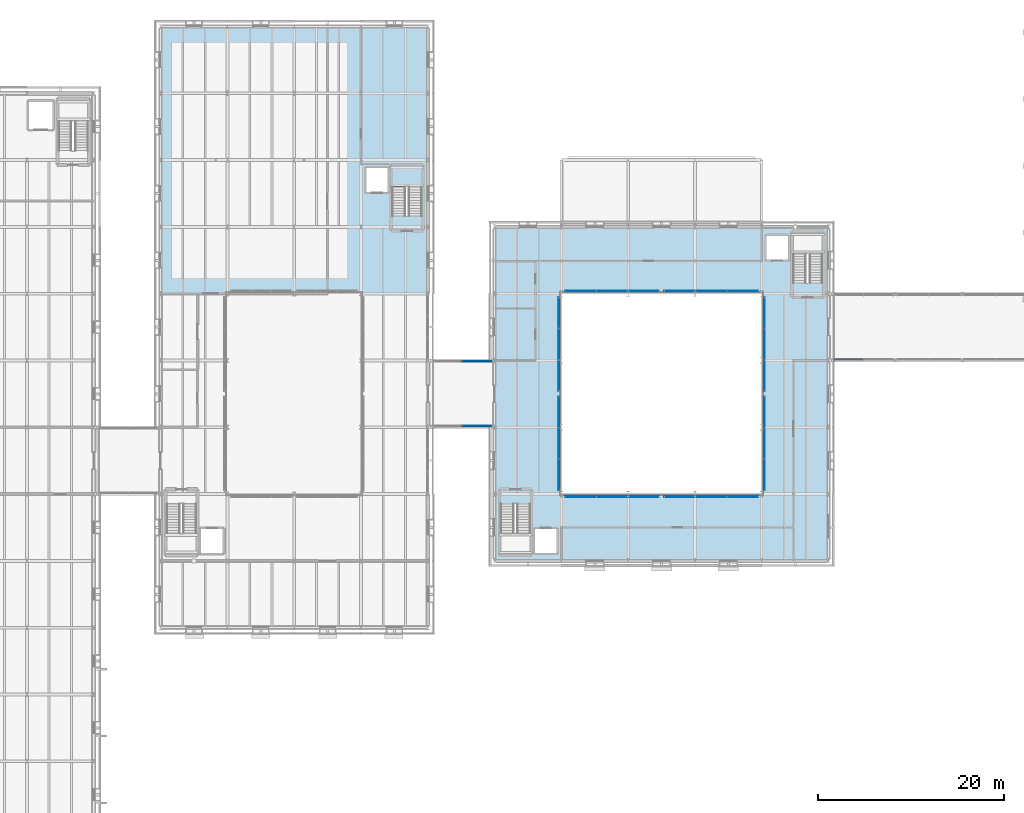
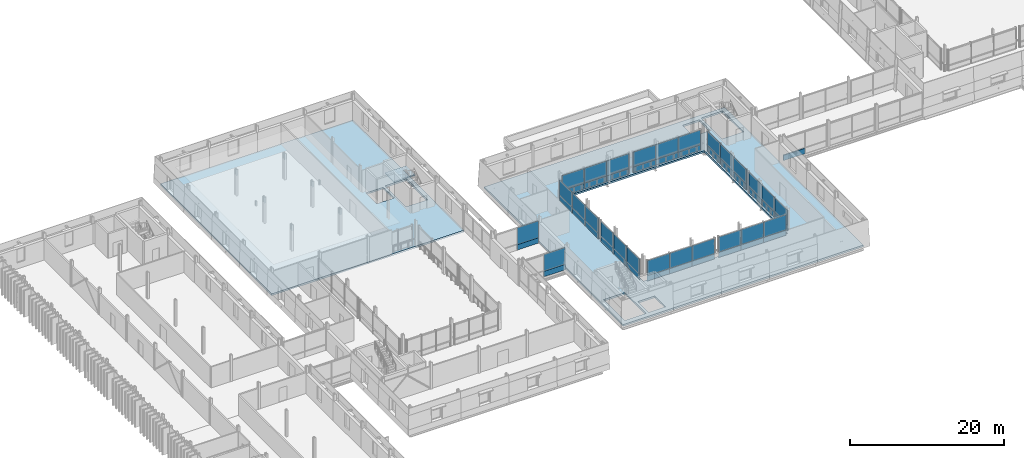
# One storey, part 57 of 115: 53 plates, 3 slabs, 12 elements without a shape of their own.
"""IFC4 building model written with IfcOpenShell, lengths in metres."""

from ifc_helpers import new_model, si_unit, direction, frame, origin, origin_2d, place, context, subcontext, project, spatial, polyline, rectangle, outline, extrude, material, layer, layer_set, type_object, element, aggregate, save


model = new_model("IFC4")

# Units and contexts
model_context = context("Model", 3, precision=1e-05, world=origin(), true_north=direction((0.0, 1.0)))
body_context = subcontext(model_context, "Body", "Model", "MODEL_VIEW")
ifc_project = project(units=[si_unit("LENGTHUNIT", "METRE"), si_unit("AREAUNIT", "SQUARE_METRE"), si_unit("VOLUMEUNIT", "CUBIC_METRE"), si_unit("PLANEANGLEUNIT", "RADIAN"), si_unit("MASSUNIT", "GRAM", prefix="KILO")], contexts=[model_context])

# Site, building, storey
site_placement = place(None, origin())
site = spatial("IfcSite", under=ifc_project, at=site_placement, CompositionType="ELEMENT")
building_placement = place(site_placement, origin())
building = spatial("IfcBuilding", under=site, at=building_placement, Name="Narikvali Park Central Library", CompositionType="ELEMENT")
storey_placement = place(building_placement, frame((0.0, 0.0, 10.199951171875)))
storey = spatial("IfcBuildingStorey", under=building, at=storey_placement, Name="L02", CompositionType="ELEMENT", Elevation=10.199951171875)

# Slabs
ifc_material_1 = material(Name="Concrete C35/45", Category="concrete")
ifc_layer_1 = layer(ifc_material_1, 0.280029296875, Name="Concrete C35/45")
ifc_layer_set_1 = layer_set([ifc_layer_1], Name="Concrete C35/45")
slab_type_1 = type_object("IfcSlabType", Name="Composite Reading Floor Slab 280", PredefinedType="FLOOR", material=ifc_layer_set_1)
slab_1_placement = place(storey_placement, frame((0.0, 0.0, -0.280029296875)))
element("IfcSlab", 1, at=slab_1_placement, inside=storey, type_object=slab_type_1, Name="V1 L02 Structural Slab", PredefinedType="FLOOR", context=body_context, shape_type="SweptSolid", body=[
    extrude(outline(polyline([(64.800048828125, 57.60009765625), (100.800048828125, 57.60009765625), (100.800048828125, 93.60009765625), (64.800048828125, 93.60009765625), (64.800048828125, 57.60009765625)]), holes=[polyline([(65.449951171875, 58.300048828125), (68.64990234375, 58.300048828125), (68.64990234375, 63.75), (65.449951171875, 63.75), (65.449951171875, 58.300048828125)]), polyline([(69.050048828125, 58.35009765625), (71.60009765625, 58.35009765625), (71.60009765625, 61.14990234375), (69.050048828125, 61.14990234375), (69.050048828125, 58.35009765625)]), polyline([(96.949951171875, 87.550048828125), (100.14990234375, 87.550048828125), (100.14990234375, 93.0), (96.949951171875, 93.0), (96.949951171875, 87.550048828125)]), polyline([(94.0, 89.949951171875), (96.550048828125, 89.949951171875), (96.550048828125, 92.75), (94.0, 92.75), (94.0, 89.949951171875)]), polyline([(72.0, 64.800048828125), (93.60009765625, 64.800048828125), (93.60009765625, 86.39990234375), (72.0, 86.39990234375), (72.0, 64.800048828125)])]), origin(), (0.0, 0.0, 1.0), 0.280029296875),
])
slab_2_placement = place(storey_placement, frame((0.0, 0.0, -0.280029296875)))
element("IfcSlab", 2, at=slab_2_placement, inside=storey, type_object=slab_type_1, Name="V4 L02 Structural Slab Panel 2", PredefinedType="FLOOR", context=body_context, shape_type="SweptSolid", body=[
    extrude(outline(polyline([(28.800048828125, 86.39990234375), (57.60009765625, 86.39990234375), (57.60009765625, 115.199951171875), (28.800048828125, 115.199951171875), (28.800048828125, 86.39990234375)]), holes=[polyline([(53.75, 94.75), (56.949951171875, 94.75), (56.949951171875, 100.199951171875), (53.75, 100.199951171875), (53.75, 94.75)]), polyline([(50.85009765625, 97.25), (53.39990234375, 97.25), (53.39990234375, 100.050048828125), (50.85009765625, 100.050048828125), (50.85009765625, 97.25)])]), origin(), (0.0, 0.0, 1.0), 0.280029296875),
])

# Curtain wall, plate
ifc_material_2 = material(Name="Anodised Bronze Aluminium", Category="aluminium")
ifc_layer_2 = layer(ifc_material_2, 0.219970703125, Name="Anodised Bronze Aluminium")
ifc_layer_set_2 = layer_set([ifc_layer_2], Name="Anodised Bronze Aluminium")
curtain_wall_type_1 = type_object("IfcCurtainWallType", Name="Bridge Covered Passage Glazing System", PredefinedType="NOTDEFINED", material=ifc_layer_set_2)
curtain_wall_1_placement = place(storey_placement, origin())
curtain_wall_1 = element("IfcCurtainWall", 3, at=curtain_wall_1_placement, inside=storey, type_object=curtain_wall_type_1, Name="Bridge Covered Passage Glazing System CW-BRG-2-L02-N1", PredefinedType="NOTDEFINED")
ifc_material_3 = material(Name="Anodised Bronze Acoustic Spandrel Cassette")
ifc_layer_3 = layer(ifc_material_3, 0.1650390625, Name="Anodised Bronze Acoustic Spandrel Cassette")
ifc_layer_set_3 = layer_set([ifc_layer_3], Name="Anodised Bronze Acoustic Spandrel Cassette")
plate_type_1 = type_object("IfcPlateType", Name="Curtain Wall Acoustic Plenum Louvre Cassette 165", PredefinedType="CURTAIN_PANEL", material=ifc_layer_set_3)
plate_1_placement = place(storey_placement, frame((62.91259765625, 79.080078125, 0.03515625), z_axis=(0.0, 0.0, 1.0), x_axis=(1.0, 0.0, 0.0)))
plate_1 = element("IfcPlate", 4, at=plate_1_placement, type_object=plate_type_1, Name="CW-BRG-2-L02-N1 Panel 01-0", PredefinedType="CURTAIN_PANEL", context=body_context, shape_type="SweptSolid", body=[
    extrude(rectangle(XDim=3.1650390625, YDim=0.1650390625, at=origin_2d()), origin(), (0.0, 0.0, 1.0), 0.860107421875),
])

curtain_wall_2_placement = place(storey_placement, origin())
curtain_wall_2 = element("IfcCurtainWall", 5, at=curtain_wall_2_placement, inside=storey, type_object=curtain_wall_type_1, Name="Bridge Covered Passage Glazing System CW-BRG-3-L02-S1", PredefinedType="NOTDEFINED")
plate_2_placement = place(storey_placement, frame((102.952392578125, 79.320068359375, 0.03515625), z_axis=(0.0, 0.0, 1.0), x_axis=(1.0, 0.0, 0.0)))
plate_2 = element("IfcPlate", 6, at=plate_2_placement, type_object=plate_type_1, Name="CW-BRG-3-L02-S1 Panel 00-0", PredefinedType="CURTAIN_PANEL", context=body_context, shape_type="SweptSolid", body=[
    extrude(rectangle(XDim=3.195068359375, YDim=0.1650390625, at=origin_2d()), origin(), (0.0, 0.0, 1.0), 0.860107421875),
])
aggregate(curtain_wall_2, [plate_2])

# Plate
ifc_material_4 = material(Name="Heavy Acoustic Laminated Clerestory Glazing", Category="glass")
ifc_layer_4 = layer(ifc_material_4, 0.06396484375, Name="Heavy Acoustic Laminated Clerestory Glazing")
ifc_layer_set_4 = layer_set([ifc_layer_4], Name="Heavy Acoustic Laminated Clerestory Glazing")
plate_type_2 = type_object("IfcPlateType", Name="Curtain Wall Clerestory Laminated Acoustic Glass 64", PredefinedType="CURTAIN_PANEL", material=ifc_layer_set_4)
plate_3_placement = place(storey_placement, frame((62.91259765625, 79.080078125, 0.90478515625), z_axis=(0.0, 0.0, 1.0), x_axis=(1.0, 0.0, 0.0)))
plate_3 = element("IfcPlate", 7, at=plate_3_placement, type_object=plate_type_2, Name="CW-BRG-2-L02-N1 Panel 01-1", PredefinedType="CURTAIN_PANEL", context=body_context, shape_type="SweptSolid", body=[
    extrude(rectangle(XDim=3.1650390625, YDim=0.06396484375, at=origin_2d()), origin(), (0.0, 0.0, 1.0), 2.610107421875),
])

aggregate(curtain_wall_1, [plate_1, plate_3])

# Curtain wall, plates
ifc_layer_5 = layer(ifc_material_2, 0.219970703125, Name="Anodised Bronze Aluminium")
ifc_layer_set_5 = layer_set([ifc_layer_5], Name="Anodised Bronze Aluminium")
curtain_wall_type_2 = type_object("IfcCurtainWallType", Name="Atrium Tall Curtain Wall System", PredefinedType="NOTDEFINED", material=ifc_layer_set_5)
curtain_wall_3_placement = place(storey_placement, origin())
curtain_wall_3 = element("IfcCurtainWall", 8, at=curtain_wall_3_placement, inside=storey, type_object=curtain_wall_type_2, Name="Atrium Tall Curtain Wall System CW-INT-V1-L02-W1", PredefinedType="NOTDEFINED")
plate_4_placement = place(storey_placement, frame((71.719970703125, 66.88330078125, 0.90478515625), z_axis=(0.0, 0.0, 1.0), x_axis=(0.0, 1.0, 0.0)))
plate_4 = element("IfcPlate", 9, at=plate_4_placement, type_object=plate_type_2, Name="CW-INT-V1-L02-W1 Panel 00-1", PredefinedType="CURTAIN_PANEL", context=body_context, shape_type="SweptSolid", body=[
    extrude(rectangle(XDim=3.356689453125, YDim=0.06396484375, at=origin_2d()), origin(), (0.0, 0.0, 1.0), 2.360107421875),
])
plate_5_placement = place(storey_placement, frame((71.719970703125, 70.25, 0.90478515625), z_axis=(0.0, 0.0, 1.0), x_axis=(0.0, 1.0, 0.0)))
plate_5 = element("IfcPlate", 10, at=plate_5_placement, type_object=plate_type_2, Name="CW-INT-V1-L02-W1 Panel 01-1", PredefinedType="CURTAIN_PANEL", context=body_context, shape_type="SweptSolid", body=[
    extrude(rectangle(XDim=3.356689453125, YDim=0.06396484375, at=origin_2d()), origin(), (0.0, 0.0, 1.0), 2.360107421875),
])
plate_6_placement = place(storey_placement, frame((71.719970703125, 73.61669921875, 0.90478515625), z_axis=(0.0, 0.0, 1.0), x_axis=(0.0, 1.0, 0.0)))
plate_6 = element("IfcPlate", 11, at=plate_6_placement, type_object=plate_type_2, Name="CW-INT-V1-L02-W1 Panel 02-1", PredefinedType="CURTAIN_PANEL", context=body_context, shape_type="SweptSolid", body=[
    extrude(rectangle(XDim=3.356689453125, YDim=0.06396484375, at=origin_2d()), origin(), (0.0, 0.0, 1.0), 2.360107421875),
])

curtain_wall_4_placement = place(storey_placement, origin())
curtain_wall_4 = element("IfcCurtainWall", 12, at=curtain_wall_4_placement, inside=storey, type_object=curtain_wall_type_2, Name="Atrium Tall Curtain Wall System CW-INT-V1-L02-W2", PredefinedType="NOTDEFINED")
plate_7_placement = place(storey_placement, frame((71.719970703125, 77.583251953125, 0.03515625), z_axis=(0.0, 0.0, 1.0), x_axis=(0.0, 1.0, 0.0)))
plate_7 = element("IfcPlate", 13, at=plate_7_placement, type_object=plate_type_2, Name="CW-INT-V1-L02-W2 Panel 00-0", PredefinedType="CURTAIN_PANEL", context=body_context, shape_type="SweptSolid", body=[
    extrude(rectangle(XDim=3.356689453125, YDim=0.06396484375, at=origin_2d()), origin(), (0.0, 0.0, 1.0), 0.860107421875),
])
plate_8_placement = place(storey_placement, frame((71.719970703125, 80.949951171875, 0.03515625), z_axis=(0.0, 0.0, 1.0), x_axis=(0.0, 1.0, 0.0)))
plate_8 = element("IfcPlate", 14, at=plate_8_placement, type_object=plate_type_2, Name="CW-INT-V1-L02-W2 Panel 01-0", PredefinedType="CURTAIN_PANEL", context=body_context, shape_type="SweptSolid", body=[
    extrude(rectangle(XDim=3.356689453125, YDim=0.06396484375, at=origin_2d()), origin(), (0.0, 0.0, 1.0), 0.860107421875),
])
plate_9_placement = place(storey_placement, frame((71.719970703125, 84.316650390625, 0.03515625), z_axis=(0.0, 0.0, 1.0), x_axis=(0.0, 1.0, 0.0)))
plate_9 = element("IfcPlate", 15, at=plate_9_placement, type_object=plate_type_2, Name="CW-INT-V1-L02-W2 Panel 02-0", PredefinedType="CURTAIN_PANEL", context=body_context, shape_type="SweptSolid", body=[
    extrude(rectangle(XDim=3.356689453125, YDim=0.06396484375, at=origin_2d()), origin(), (0.0, 0.0, 1.0), 0.860107421875),
])

curtain_wall_5_placement = place(storey_placement, origin())
curtain_wall_5 = element("IfcCurtainWall", 16, at=curtain_wall_5_placement, inside=storey, type_object=curtain_wall_type_2, Name="Atrium Tall Curtain Wall System CW-INT-V1-L02-E2", PredefinedType="NOTDEFINED")
plate_10_placement = place(storey_placement, frame((93.8798828125, 77.583251953125, 0.90478515625), z_axis=(0.0, 0.0, 1.0), x_axis=(0.0, 1.0, 0.0)))
plate_10 = element("IfcPlate", 17, at=plate_10_placement, type_object=plate_type_2, Name="CW-INT-V1-L02-E2 Panel 00-1", PredefinedType="CURTAIN_PANEL", context=body_context, shape_type="SweptSolid", body=[
    extrude(rectangle(XDim=3.356689453125, YDim=0.06396484375, at=origin_2d()), origin(), (0.0, 0.0, 1.0), 2.360107421875),
])
plate_11_placement = place(storey_placement, frame((93.8798828125, 80.949951171875, 0.90478515625), z_axis=(0.0, 0.0, 1.0), x_axis=(0.0, 1.0, 0.0)))
plate_11 = element("IfcPlate", 18, at=plate_11_placement, type_object=plate_type_2, Name="CW-INT-V1-L02-E2 Panel 01-1", PredefinedType="CURTAIN_PANEL", context=body_context, shape_type="SweptSolid", body=[
    extrude(rectangle(XDim=3.356689453125, YDim=0.06396484375, at=origin_2d()), origin(), (0.0, 0.0, 1.0), 2.360107421875),
])
plate_12_placement = place(storey_placement, frame((93.8798828125, 84.316650390625, 0.90478515625), z_axis=(0.0, 0.0, 1.0), x_axis=(0.0, 1.0, 0.0)))
plate_12 = element("IfcPlate", 19, at=plate_12_placement, type_object=plate_type_2, Name="CW-INT-V1-L02-E2 Panel 02-1", PredefinedType="CURTAIN_PANEL", context=body_context, shape_type="SweptSolid", body=[
    extrude(rectangle(XDim=3.356689453125, YDim=0.06396484375, at=origin_2d()), origin(), (0.0, 0.0, 1.0), 2.360107421875),
])

curtain_wall_6_placement = place(storey_placement, origin())
curtain_wall_6 = element("IfcCurtainWall", 20, at=curtain_wall_6_placement, inside=storey, type_object=curtain_wall_type_2, Name="Atrium Tall Curtain Wall System CW-INT-V1-L02-N1", PredefinedType="NOTDEFINED")
plate_13_placement = place(storey_placement, frame((74.083251953125, 86.679931640625, 0.03515625), z_axis=(0.0, 0.0, 1.0), x_axis=(1.0, 0.0, 0.0)))
plate_13 = element("IfcPlate", 21, at=plate_13_placement, type_object=plate_type_2, Name="CW-INT-V1-L02-N1 Panel 00-0", PredefinedType="CURTAIN_PANEL", context=body_context, shape_type="SweptSolid", body=[
    extrude(rectangle(XDim=3.356689453125, YDim=0.06396484375, at=origin_2d()), origin(), (0.0, 0.0, 1.0), 0.860107421875),
])
plate_14_placement = place(storey_placement, frame((77.449951171875, 86.679931640625, 0.03515625), z_axis=(0.0, 0.0, 1.0), x_axis=(1.0, 0.0, 0.0)))
plate_14 = element("IfcPlate", 22, at=plate_14_placement, type_object=plate_type_2, Name="CW-INT-V1-L02-N1 Panel 01-0", PredefinedType="CURTAIN_PANEL", context=body_context, shape_type="SweptSolid", body=[
    extrude(rectangle(XDim=3.356689453125, YDim=0.06396484375, at=origin_2d()), origin(), (0.0, 0.0, 1.0), 0.860107421875),
])
plate_15_placement = place(storey_placement, frame((80.816650390625, 86.679931640625, 0.03515625), z_axis=(0.0, 0.0, 1.0), x_axis=(1.0, 0.0, 0.0)))
plate_15 = element("IfcPlate", 23, at=plate_15_placement, type_object=plate_type_2, Name="CW-INT-V1-L02-N1 Panel 02-0", PredefinedType="CURTAIN_PANEL", context=body_context, shape_type="SweptSolid", body=[
    extrude(rectangle(XDim=3.356689453125, YDim=0.06396484375, at=origin_2d()), origin(), (0.0, 0.0, 1.0), 0.860107421875),
])

curtain_wall_7_placement = place(storey_placement, origin())
curtain_wall_7 = element("IfcCurtainWall", 24, at=curtain_wall_7_placement, inside=storey, type_object=curtain_wall_type_2, Name="Atrium Tall Curtain Wall System CW-INT-V1-L02-S1", PredefinedType="NOTDEFINED")
plate_16_placement = place(storey_placement, frame((74.083251953125, 64.52001953125, 0.90478515625), z_axis=(0.0, 0.0, 1.0), x_axis=(1.0, 0.0, 0.0)))
plate_16 = element("IfcPlate", 25, at=plate_16_placement, type_object=plate_type_2, Name="CW-INT-V1-L02-S1 Panel 00-1", PredefinedType="CURTAIN_PANEL", context=body_context, shape_type="SweptSolid", body=[
    extrude(rectangle(XDim=3.356689453125, YDim=0.06396484375, at=origin_2d()), origin(), (0.0, 0.0, 1.0), 2.360107421875),
])
plate_17_placement = place(storey_placement, frame((77.449951171875, 64.52001953125, 0.90478515625), z_axis=(0.0, 0.0, 1.0), x_axis=(1.0, 0.0, 0.0)))
plate_17 = element("IfcPlate", 26, at=plate_17_placement, type_object=plate_type_2, Name="CW-INT-V1-L02-S1 Panel 01-1", PredefinedType="CURTAIN_PANEL", context=body_context, shape_type="SweptSolid", body=[
    extrude(rectangle(XDim=3.356689453125, YDim=0.06396484375, at=origin_2d()), origin(), (0.0, 0.0, 1.0), 2.360107421875),
])
plate_18_placement = place(storey_placement, frame((80.816650390625, 64.52001953125, 0.90478515625), z_axis=(0.0, 0.0, 1.0), x_axis=(1.0, 0.0, 0.0)))
plate_18 = element("IfcPlate", 27, at=plate_18_placement, type_object=plate_type_2, Name="CW-INT-V1-L02-S1 Panel 02-1", PredefinedType="CURTAIN_PANEL", context=body_context, shape_type="SweptSolid", body=[
    extrude(rectangle(XDim=3.356689453125, YDim=0.06396484375, at=origin_2d()), origin(), (0.0, 0.0, 1.0), 2.360107421875),
])

curtain_wall_8_placement = place(storey_placement, origin())
curtain_wall_8 = element("IfcCurtainWall", 28, at=curtain_wall_8_placement, inside=storey, type_object=curtain_wall_type_2, Name="Atrium Tall Curtain Wall System CW-INT-V1-L02-S2", PredefinedType="NOTDEFINED")
plate_19_placement = place(storey_placement, frame((84.783203125, 64.52001953125, 0.03515625), z_axis=(0.0, 0.0, 1.0), x_axis=(1.0, 0.0, 0.0)))
plate_19 = element("IfcPlate", 29, at=plate_19_placement, type_object=plate_type_2, Name="CW-INT-V1-L02-S2 Panel 00-0", PredefinedType="CURTAIN_PANEL", context=body_context, shape_type="SweptSolid", body=[
    extrude(rectangle(XDim=3.356689453125, YDim=0.06396484375, at=origin_2d()), origin(), (0.0, 0.0, 1.0), 0.860107421875),
])
plate_20_placement = place(storey_placement, frame((88.14990234375, 64.52001953125, 0.03515625), z_axis=(0.0, 0.0, 1.0), x_axis=(1.0, 0.0, 0.0)))
plate_20 = element("IfcPlate", 30, at=plate_20_placement, type_object=plate_type_2, Name="CW-INT-V1-L02-S2 Panel 01-0", PredefinedType="CURTAIN_PANEL", context=body_context, shape_type="SweptSolid", body=[
    extrude(rectangle(XDim=3.356689453125, YDim=0.06396484375, at=origin_2d()), origin(), (0.0, 0.0, 1.0), 0.860107421875),
])
plate_21_placement = place(storey_placement, frame((91.5166015625, 64.52001953125, 0.03515625), z_axis=(0.0, 0.0, 1.0), x_axis=(1.0, 0.0, 0.0)))
plate_21 = element("IfcPlate", 31, at=plate_21_placement, type_object=plate_type_2, Name="CW-INT-V1-L02-S2 Panel 02-0", PredefinedType="CURTAIN_PANEL", context=body_context, shape_type="SweptSolid", body=[
    extrude(rectangle(XDim=3.356689453125, YDim=0.06396484375, at=origin_2d()), origin(), (0.0, 0.0, 1.0), 0.860107421875),
])

# Plate
ifc_material_5 = material(Name="Double Low-E Tempered Vision Glazing", Category="glass")
ifc_layer_6 = layer(ifc_material_5, 0.035888671875, Name="Double Low-E Tempered Vision Glazing")
ifc_layer_set_6 = layer_set([ifc_layer_6], Name="Double Low-E Tempered Vision Glazing")
plate_type_3 = type_object("IfcPlateType", Name="Curtain Wall Double Low-E Vision Glazing 36", PredefinedType="CURTAIN_PANEL", material=ifc_layer_set_6)
plate_22_placement = place(storey_placement, frame((71.719970703125, 77.583251953125, 0.90478515625), z_axis=(0.0, 0.0, 1.0), x_axis=(0.0, 1.0, 0.0)))
plate_22 = element("IfcPlate", 32, at=plate_22_placement, type_object=plate_type_3, Name="CW-INT-V1-L02-W2 Panel 00-1", PredefinedType="CURTAIN_PANEL", context=body_context, shape_type="SweptSolid", body=[
    extrude(rectangle(XDim=3.356689453125, YDim=0.035888671875, at=origin_2d()), origin(), (0.0, 0.0, 1.0), 2.360107421875),
])

plate_23_placement = place(storey_placement, frame((71.719970703125, 80.949951171875, 0.90478515625), z_axis=(0.0, 0.0, 1.0), x_axis=(0.0, 1.0, 0.0)))
plate_23 = element("IfcPlate", 33, at=plate_23_placement, type_object=plate_type_3, Name="CW-INT-V1-L02-W2 Panel 01-1", PredefinedType="CURTAIN_PANEL", context=body_context, shape_type="SweptSolid", body=[
    extrude(rectangle(XDim=3.356689453125, YDim=0.035888671875, at=origin_2d()), origin(), (0.0, 0.0, 1.0), 2.360107421875),
])

plate_24_placement = place(storey_placement, frame((71.719970703125, 84.316650390625, 0.90478515625), z_axis=(0.0, 0.0, 1.0), x_axis=(0.0, 1.0, 0.0)))
plate_24 = element("IfcPlate", 34, at=plate_24_placement, type_object=plate_type_3, Name="CW-INT-V1-L02-W2 Panel 02-1", PredefinedType="CURTAIN_PANEL", context=body_context, shape_type="SweptSolid", body=[
    extrude(rectangle(XDim=3.356689453125, YDim=0.035888671875, at=origin_2d()), origin(), (0.0, 0.0, 1.0), 2.360107421875),
])

aggregate(curtain_wall_4, [plate_7, plate_22, plate_8, plate_23, plate_9, plate_24])

# Curtain wall, plates
curtain_wall_9_placement = place(storey_placement, origin())
curtain_wall_9 = element("IfcCurtainWall", 35, at=curtain_wall_9_placement, inside=storey, type_object=curtain_wall_type_2, Name="Atrium Tall Curtain Wall System CW-INT-V1-L02-E1", PredefinedType="NOTDEFINED")
plate_25_placement = place(storey_placement, frame((93.8798828125, 66.88330078125, 0.03515625), z_axis=(0.0, 0.0, 1.0), x_axis=(0.0, 1.0, 0.0)))
plate_25 = element("IfcPlate", 36, at=plate_25_placement, type_object=plate_type_3, Name="CW-INT-V1-L02-E1 Panel 00-0", PredefinedType="CURTAIN_PANEL", context=body_context, shape_type="SweptSolid", body=[
    extrude(rectangle(XDim=3.356689453125, YDim=0.035888671875, at=origin_2d()), origin(), (0.0, 0.0, 1.0), 0.860107421875),
])
plate_26_placement = place(storey_placement, frame((93.8798828125, 70.25, 0.03515625), z_axis=(0.0, 0.0, 1.0), x_axis=(0.0, 1.0, 0.0)))
plate_26 = element("IfcPlate", 37, at=plate_26_placement, type_object=plate_type_3, Name="CW-INT-V1-L02-E1 Panel 01-0", PredefinedType="CURTAIN_PANEL", context=body_context, shape_type="SweptSolid", body=[
    extrude(rectangle(XDim=3.356689453125, YDim=0.035888671875, at=origin_2d()), origin(), (0.0, 0.0, 1.0), 0.860107421875),
])
plate_27_placement = place(storey_placement, frame((93.8798828125, 73.61669921875, 0.03515625), z_axis=(0.0, 0.0, 1.0), x_axis=(0.0, 1.0, 0.0)))
plate_27 = element("IfcPlate", 38, at=plate_27_placement, type_object=plate_type_3, Name="CW-INT-V1-L02-E1 Panel 02-0", PredefinedType="CURTAIN_PANEL", context=body_context, shape_type="SweptSolid", body=[
    extrude(rectangle(XDim=3.356689453125, YDim=0.035888671875, at=origin_2d()), origin(), (0.0, 0.0, 1.0), 0.860107421875),
])

# Plate
plate_28_placement = place(storey_placement, frame((74.083251953125, 86.679931640625, 0.90478515625), z_axis=(0.0, 0.0, 1.0), x_axis=(1.0, 0.0, 0.0)))
plate_28 = element("IfcPlate", 39, at=plate_28_placement, type_object=plate_type_3, Name="CW-INT-V1-L02-N1 Panel 00-1", PredefinedType="CURTAIN_PANEL", context=body_context, shape_type="SweptSolid", body=[
    extrude(rectangle(XDim=3.356689453125, YDim=0.035888671875, at=origin_2d()), origin(), (0.0, 0.0, 1.0), 2.360107421875),
])

plate_29_placement = place(storey_placement, frame((77.449951171875, 86.679931640625, 0.90478515625), z_axis=(0.0, 0.0, 1.0), x_axis=(1.0, 0.0, 0.0)))
plate_29 = element("IfcPlate", 40, at=plate_29_placement, type_object=plate_type_3, Name="CW-INT-V1-L02-N1 Panel 01-1", PredefinedType="CURTAIN_PANEL", context=body_context, shape_type="SweptSolid", body=[
    extrude(rectangle(XDim=3.356689453125, YDim=0.035888671875, at=origin_2d()), origin(), (0.0, 0.0, 1.0), 2.360107421875),
])

plate_30_placement = place(storey_placement, frame((80.816650390625, 86.679931640625, 0.90478515625), z_axis=(0.0, 0.0, 1.0), x_axis=(1.0, 0.0, 0.0)))
plate_30 = element("IfcPlate", 41, at=plate_30_placement, type_object=plate_type_3, Name="CW-INT-V1-L02-N1 Panel 02-1", PredefinedType="CURTAIN_PANEL", context=body_context, shape_type="SweptSolid", body=[
    extrude(rectangle(XDim=3.356689453125, YDim=0.035888671875, at=origin_2d()), origin(), (0.0, 0.0, 1.0), 2.360107421875),
])

aggregate(curtain_wall_6, [plate_13, plate_28, plate_14, plate_29, plate_15, plate_30])

# Curtain wall, plates
curtain_wall_10_placement = place(storey_placement, origin())
curtain_wall_10 = element("IfcCurtainWall", 42, at=curtain_wall_10_placement, inside=storey, type_object=curtain_wall_type_2, Name="Atrium Tall Curtain Wall System CW-INT-V1-L02-N2", PredefinedType="NOTDEFINED")
plate_31_placement = place(storey_placement, frame((84.783203125, 86.679931640625, 0.03515625), z_axis=(0.0, 0.0, 1.0), x_axis=(1.0, 0.0, 0.0)))
plate_31 = element("IfcPlate", 43, at=plate_31_placement, type_object=plate_type_3, Name="CW-INT-V1-L02-N2 Panel 00-0", PredefinedType="CURTAIN_PANEL", context=body_context, shape_type="SweptSolid", body=[
    extrude(rectangle(XDim=3.356689453125, YDim=0.035888671875, at=origin_2d()), origin(), (0.0, 0.0, 1.0), 0.860107421875),
])
plate_32_placement = place(storey_placement, frame((88.14990234375, 86.679931640625, 0.03515625), z_axis=(0.0, 0.0, 1.0), x_axis=(1.0, 0.0, 0.0)))
plate_32 = element("IfcPlate", 44, at=plate_32_placement, type_object=plate_type_3, Name="CW-INT-V1-L02-N2 Panel 01-0", PredefinedType="CURTAIN_PANEL", context=body_context, shape_type="SweptSolid", body=[
    extrude(rectangle(XDim=3.356689453125, YDim=0.035888671875, at=origin_2d()), origin(), (0.0, 0.0, 1.0), 0.860107421875),
])
plate_33_placement = place(storey_placement, frame((91.5166015625, 86.679931640625, 0.03515625), z_axis=(0.0, 0.0, 1.0), x_axis=(1.0, 0.0, 0.0)))
plate_33 = element("IfcPlate", 45, at=plate_33_placement, type_object=plate_type_3, Name="CW-INT-V1-L02-N2 Panel 02-0", PredefinedType="CURTAIN_PANEL", context=body_context, shape_type="SweptSolid", body=[
    extrude(rectangle(XDim=3.356689453125, YDim=0.035888671875, at=origin_2d()), origin(), (0.0, 0.0, 1.0), 0.860107421875),
])

# Plate
plate_34_placement = place(storey_placement, frame((84.783203125, 64.52001953125, 0.90478515625), z_axis=(0.0, 0.0, 1.0), x_axis=(1.0, 0.0, 0.0)))
plate_34 = element("IfcPlate", 46, at=plate_34_placement, type_object=plate_type_3, Name="CW-INT-V1-L02-S2 Panel 00-1", PredefinedType="CURTAIN_PANEL", context=body_context, shape_type="SweptSolid", body=[
    extrude(rectangle(XDim=3.356689453125, YDim=0.035888671875, at=origin_2d()), origin(), (0.0, 0.0, 1.0), 2.360107421875),
])

plate_35_placement = place(storey_placement, frame((88.14990234375, 64.52001953125, 0.90478515625), z_axis=(0.0, 0.0, 1.0), x_axis=(1.0, 0.0, 0.0)))
plate_35 = element("IfcPlate", 47, at=plate_35_placement, type_object=plate_type_3, Name="CW-INT-V1-L02-S2 Panel 01-1", PredefinedType="CURTAIN_PANEL", context=body_context, shape_type="SweptSolid", body=[
    extrude(rectangle(XDim=3.356689453125, YDim=0.035888671875, at=origin_2d()), origin(), (0.0, 0.0, 1.0), 2.360107421875),
])

plate_36_placement = place(storey_placement, frame((91.5166015625, 64.52001953125, 0.90478515625), z_axis=(0.0, 0.0, 1.0), x_axis=(1.0, 0.0, 0.0)))
plate_36 = element("IfcPlate", 48, at=plate_36_placement, type_object=plate_type_3, Name="CW-INT-V1-L02-S2 Panel 02-1", PredefinedType="CURTAIN_PANEL", context=body_context, shape_type="SweptSolid", body=[
    extrude(rectangle(XDim=3.356689453125, YDim=0.035888671875, at=origin_2d()), origin(), (0.0, 0.0, 1.0), 2.360107421875),
])

aggregate(curtain_wall_8, [plate_19, plate_34, plate_20, plate_35, plate_21, plate_36])

# Curtain wall, plates
curtain_wall_11_placement = place(storey_placement, origin())
curtain_wall_11 = element("IfcCurtainWall", 49, at=curtain_wall_11_placement, inside=storey, type_object=curtain_wall_type_1, Name="Bridge Covered Passage Glazing System CW-BRG-2-L02-S1", PredefinedType="NOTDEFINED")
ifc_material_6 = material(Name="Mineral-Wool Shadow-Box Spandrel Assembly")
ifc_layer_7 = layer(ifc_material_6, 0.139892578125, Name="Mineral-Wool Shadow-Box Spandrel Assembly")
ifc_layer_set_7 = layer_set([ifc_layer_7], Name="Mineral-Wool Shadow-Box Spandrel Assembly")
plate_type_4 = type_object("IfcPlateType", Name="Curtain Wall Shadow-Box Mineral Spandrel Panel 140", PredefinedType="CURTAIN_PANEL", material=ifc_layer_set_7)
plate_37_placement = place(storey_placement, frame((62.91259765625, 72.1201171875, 0.03515625), z_axis=(0.0, 0.0, 1.0), x_axis=(1.0, 0.0, 0.0)))
plate_37 = element("IfcPlate", 50, at=plate_37_placement, type_object=plate_type_4, Name="CW-BRG-2-L02-S1 Panel 01-0", PredefinedType="CURTAIN_PANEL", context=body_context, shape_type="SweptSolid", body=[
    extrude(rectangle(XDim=3.1650390625, YDim=0.139892578125, at=origin_2d()), origin(), (0.0, 0.0, 1.0), 0.860107421875),
])
ifc_material_7 = material(Name="Triple Low-E Acoustic Laminated Glazing", Category="glass")
ifc_layer_8 = layer(ifc_material_7, 0.048095703125, Name="Triple Low-E Acoustic Laminated Glazing")
ifc_layer_set_8 = layer_set([ifc_layer_8], Name="Triple Low-E Acoustic Laminated Glazing")
plate_type_5 = type_object("IfcPlateType", Name="Curtain Wall Triple Solar-Acoustic Glazing 48", PredefinedType="CURTAIN_PANEL", material=ifc_layer_set_8)
plate_38_placement = place(storey_placement, frame((62.91259765625, 72.1201171875, 0.90478515625), z_axis=(0.0, 0.0, 1.0), x_axis=(1.0, 0.0, 0.0)))
plate_38 = element("IfcPlate", 51, at=plate_38_placement, type_object=plate_type_5, Name="CW-BRG-2-L02-S1 Panel 01-1", PredefinedType="CURTAIN_PANEL", context=body_context, shape_type="SweptSolid", body=[
    extrude(rectangle(XDim=3.1650390625, YDim=0.048095703125, at=origin_2d()), origin(), (0.0, 0.0, 1.0), 2.610107421875),
])
aggregate(curtain_wall_11, [plate_37, plate_38])

# Plate
plate_39_placement = place(storey_placement, frame((71.719970703125, 66.88330078125, 0.03515625), z_axis=(0.0, 0.0, 1.0), x_axis=(0.0, 1.0, 0.0)))
plate_39 = element("IfcPlate", 52, at=plate_39_placement, type_object=plate_type_5, Name="CW-INT-V1-L02-W1 Panel 00-0", PredefinedType="CURTAIN_PANEL", context=body_context, shape_type="SweptSolid", body=[
    extrude(rectangle(XDim=3.356689453125, YDim=0.048095703125, at=origin_2d()), origin(), (0.0, 0.0, 1.0), 0.860107421875),
])

plate_40_placement = place(storey_placement, frame((71.719970703125, 70.25, 0.03515625), z_axis=(0.0, 0.0, 1.0), x_axis=(0.0, 1.0, 0.0)))
plate_40 = element("IfcPlate", 53, at=plate_40_placement, type_object=plate_type_5, Name="CW-INT-V1-L02-W1 Panel 01-0", PredefinedType="CURTAIN_PANEL", context=body_context, shape_type="SweptSolid", body=[
    extrude(rectangle(XDim=3.356689453125, YDim=0.048095703125, at=origin_2d()), origin(), (0.0, 0.0, 1.0), 0.860107421875),
])

plate_41_placement = place(storey_placement, frame((71.719970703125, 73.61669921875, 0.03515625), z_axis=(0.0, 0.0, 1.0), x_axis=(0.0, 1.0, 0.0)))
plate_41 = element("IfcPlate", 54, at=plate_41_placement, type_object=plate_type_5, Name="CW-INT-V1-L02-W1 Panel 02-0", PredefinedType="CURTAIN_PANEL", context=body_context, shape_type="SweptSolid", body=[
    extrude(rectangle(XDim=3.356689453125, YDim=0.048095703125, at=origin_2d()), origin(), (0.0, 0.0, 1.0), 0.860107421875),
])

aggregate(curtain_wall_3, [plate_39, plate_4, plate_40, plate_5, plate_41, plate_6])

plate_42_placement = place(storey_placement, frame((93.8798828125, 66.88330078125, 0.90478515625), z_axis=(0.0, 0.0, 1.0), x_axis=(0.0, 1.0, 0.0)))
plate_42 = element("IfcPlate", 55, at=plate_42_placement, type_object=plate_type_5, Name="CW-INT-V1-L02-E1 Panel 00-1", PredefinedType="CURTAIN_PANEL", context=body_context, shape_type="SweptSolid", body=[
    extrude(rectangle(XDim=3.356689453125, YDim=0.048095703125, at=origin_2d()), origin(), (0.0, 0.0, 1.0), 2.360107421875),
])

plate_43_placement = place(storey_placement, frame((93.8798828125, 70.25, 0.90478515625), z_axis=(0.0, 0.0, 1.0), x_axis=(0.0, 1.0, 0.0)))
plate_43 = element("IfcPlate", 56, at=plate_43_placement, type_object=plate_type_5, Name="CW-INT-V1-L02-E1 Panel 01-1", PredefinedType="CURTAIN_PANEL", context=body_context, shape_type="SweptSolid", body=[
    extrude(rectangle(XDim=3.356689453125, YDim=0.048095703125, at=origin_2d()), origin(), (0.0, 0.0, 1.0), 2.360107421875),
])

plate_44_placement = place(storey_placement, frame((93.8798828125, 73.61669921875, 0.90478515625), z_axis=(0.0, 0.0, 1.0), x_axis=(0.0, 1.0, 0.0)))
plate_44 = element("IfcPlate", 57, at=plate_44_placement, type_object=plate_type_5, Name="CW-INT-V1-L02-E1 Panel 02-1", PredefinedType="CURTAIN_PANEL", context=body_context, shape_type="SweptSolid", body=[
    extrude(rectangle(XDim=3.356689453125, YDim=0.048095703125, at=origin_2d()), origin(), (0.0, 0.0, 1.0), 2.360107421875),
])

aggregate(curtain_wall_9, [plate_25, plate_42, plate_26, plate_43, plate_27, plate_44])

plate_45_placement = place(storey_placement, frame((93.8798828125, 77.583251953125, 0.03515625), z_axis=(0.0, 0.0, 1.0), x_axis=(0.0, 1.0, 0.0)))
plate_45 = element("IfcPlate", 58, at=plate_45_placement, type_object=plate_type_5, Name="CW-INT-V1-L02-E2 Panel 00-0", PredefinedType="CURTAIN_PANEL", context=body_context, shape_type="SweptSolid", body=[
    extrude(rectangle(XDim=3.356689453125, YDim=0.048095703125, at=origin_2d()), origin(), (0.0, 0.0, 1.0), 0.860107421875),
])

plate_46_placement = place(storey_placement, frame((93.8798828125, 80.949951171875, 0.03515625), z_axis=(0.0, 0.0, 1.0), x_axis=(0.0, 1.0, 0.0)))
plate_46 = element("IfcPlate", 59, at=plate_46_placement, type_object=plate_type_5, Name="CW-INT-V1-L02-E2 Panel 01-0", PredefinedType="CURTAIN_PANEL", context=body_context, shape_type="SweptSolid", body=[
    extrude(rectangle(XDim=3.356689453125, YDim=0.048095703125, at=origin_2d()), origin(), (0.0, 0.0, 1.0), 0.860107421875),
])

plate_47_placement = place(storey_placement, frame((93.8798828125, 84.316650390625, 0.03515625), z_axis=(0.0, 0.0, 1.0), x_axis=(0.0, 1.0, 0.0)))
plate_47 = element("IfcPlate", 60, at=plate_47_placement, type_object=plate_type_5, Name="CW-INT-V1-L02-E2 Panel 02-0", PredefinedType="CURTAIN_PANEL", context=body_context, shape_type="SweptSolid", body=[
    extrude(rectangle(XDim=3.356689453125, YDim=0.048095703125, at=origin_2d()), origin(), (0.0, 0.0, 1.0), 0.860107421875),
])

aggregate(curtain_wall_5, [plate_45, plate_10, plate_46, plate_11, plate_47, plate_12])

plate_48_placement = place(storey_placement, frame((84.783203125, 86.679931640625, 0.90478515625), z_axis=(0.0, 0.0, 1.0), x_axis=(1.0, 0.0, 0.0)))
plate_48 = element("IfcPlate", 61, at=plate_48_placement, type_object=plate_type_5, Name="CW-INT-V1-L02-N2 Panel 00-1", PredefinedType="CURTAIN_PANEL", context=body_context, shape_type="SweptSolid", body=[
    extrude(rectangle(XDim=3.356689453125, YDim=0.048095703125, at=origin_2d()), origin(), (0.0, 0.0, 1.0), 2.360107421875),
])

plate_49_placement = place(storey_placement, frame((88.14990234375, 86.679931640625, 0.90478515625), z_axis=(0.0, 0.0, 1.0), x_axis=(1.0, 0.0, 0.0)))
plate_49 = element("IfcPlate", 62, at=plate_49_placement, type_object=plate_type_5, Name="CW-INT-V1-L02-N2 Panel 01-1", PredefinedType="CURTAIN_PANEL", context=body_context, shape_type="SweptSolid", body=[
    extrude(rectangle(XDim=3.356689453125, YDim=0.048095703125, at=origin_2d()), origin(), (0.0, 0.0, 1.0), 2.360107421875),
])

plate_50_placement = place(storey_placement, frame((91.5166015625, 86.679931640625, 0.90478515625), z_axis=(0.0, 0.0, 1.0), x_axis=(1.0, 0.0, 0.0)))
plate_50 = element("IfcPlate", 63, at=plate_50_placement, type_object=plate_type_5, Name="CW-INT-V1-L02-N2 Panel 02-1", PredefinedType="CURTAIN_PANEL", context=body_context, shape_type="SweptSolid", body=[
    extrude(rectangle(XDim=3.356689453125, YDim=0.048095703125, at=origin_2d()), origin(), (0.0, 0.0, 1.0), 2.360107421875),
])

aggregate(curtain_wall_10, [plate_31, plate_48, plate_32, plate_49, plate_33, plate_50])

plate_51_placement = place(storey_placement, frame((74.083251953125, 64.52001953125, 0.03515625), z_axis=(0.0, 0.0, 1.0), x_axis=(1.0, 0.0, 0.0)))
plate_51 = element("IfcPlate", 64, at=plate_51_placement, type_object=plate_type_5, Name="CW-INT-V1-L02-S1 Panel 00-0", PredefinedType="CURTAIN_PANEL", context=body_context, shape_type="SweptSolid", body=[
    extrude(rectangle(XDim=3.356689453125, YDim=0.048095703125, at=origin_2d()), origin(), (0.0, 0.0, 1.0), 0.860107421875),
])

plate_52_placement = place(storey_placement, frame((77.449951171875, 64.52001953125, 0.03515625), z_axis=(0.0, 0.0, 1.0), x_axis=(1.0, 0.0, 0.0)))
plate_52 = element("IfcPlate", 65, at=plate_52_placement, type_object=plate_type_5, Name="CW-INT-V1-L02-S1 Panel 01-0", PredefinedType="CURTAIN_PANEL", context=body_context, shape_type="SweptSolid", body=[
    extrude(rectangle(XDim=3.356689453125, YDim=0.048095703125, at=origin_2d()), origin(), (0.0, 0.0, 1.0), 0.860107421875),
])

plate_53_placement = place(storey_placement, frame((80.816650390625, 64.52001953125, 0.03515625), z_axis=(0.0, 0.0, 1.0), x_axis=(1.0, 0.0, 0.0)))
plate_53 = element("IfcPlate", 66, at=plate_53_placement, type_object=plate_type_5, Name="CW-INT-V1-L02-S1 Panel 02-0", PredefinedType="CURTAIN_PANEL", context=body_context, shape_type="SweptSolid", body=[
    extrude(rectangle(XDim=3.356689453125, YDim=0.048095703125, at=origin_2d()), origin(), (0.0, 0.0, 1.0), 0.860107421875),
])

aggregate(curtain_wall_7, [plate_51, plate_16, plate_52, plate_17, plate_53, plate_18])

# Stair, slab
stair_type = type_object("IfcStairType", Name="Core Enclosed Two-Flight Exit Stair", PredefinedType="HALF_TURN_STAIR", material=ifc_material_1)
stair_placement = place(storey_placement, origin())
stair = element("IfcStair", 67, at=stair_placement, inside=storey, type_object=stair_type, Name="L02 Exit Stair ST-08", PredefinedType="HALF_TURN_STAIR")
ifc_layer_9 = layer(ifc_material_1, 0.199951171875, Name="Concrete C35/45")
ifc_layer_set_9 = layer_set([ifc_layer_9], Name="Concrete C35/45")
slab_type_2 = type_object("IfcSlabType", Name="Stair Half-Landing Concrete Slab 200", PredefinedType="LANDING", material=ifc_layer_set_9)
slab_3_placement = place(storey_placement, frame((0.0, 0.0, 1.900146484375)))
slab_3 = element("IfcSlab", 68, at=slab_3_placement, type_object=slab_type_2, Name="ST-08 landing 1", PredefinedType="LANDING", context=body_context, shape_type="SweptSolid", body=[
    extrude(outline(polyline([(56.949951171875, 97.885009765625), (56.949951171875, 100.199951171875), (53.75, 100.199951171875), (53.75, 97.885009765625), (56.949951171875, 97.885009765625)])), origin(), (0.0, 0.0, 1.0), 0.199951171875),
])
aggregate(stair, [slab_3])

save(model, "model.ifc")
